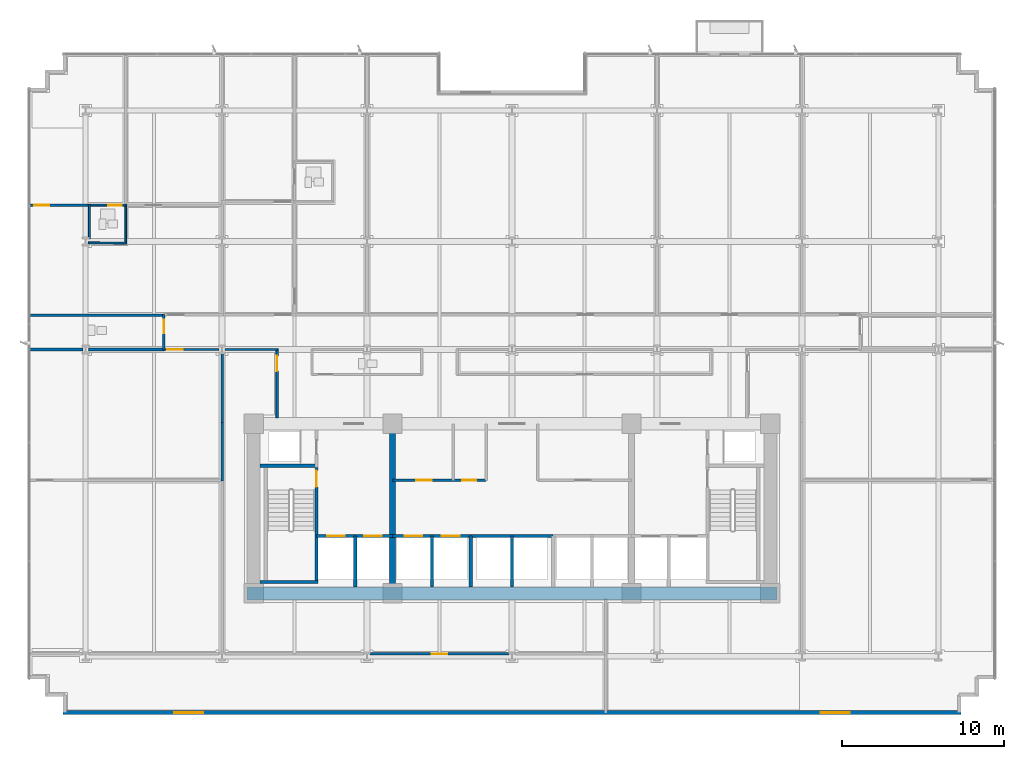
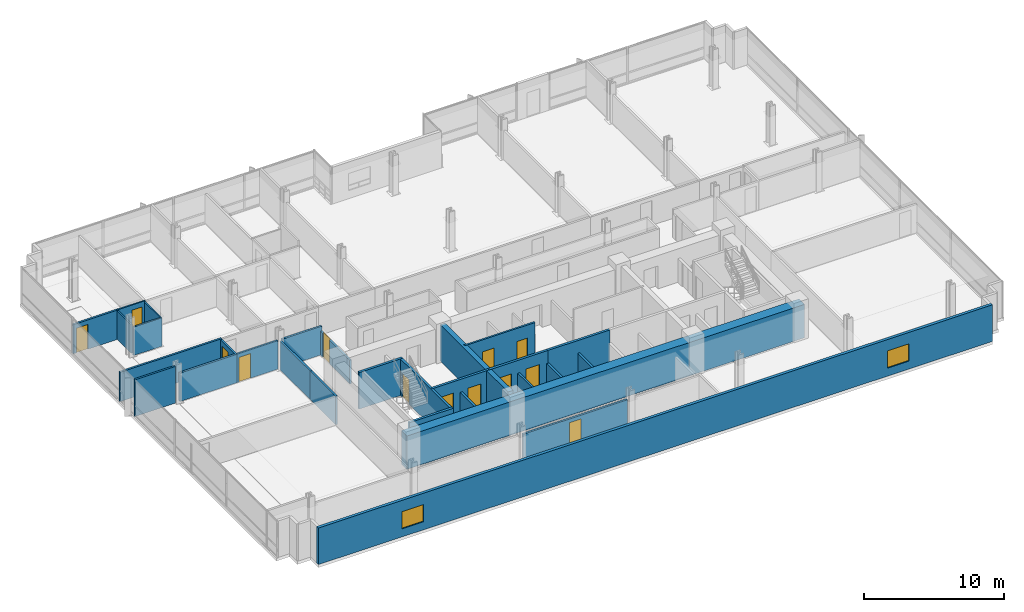
# One storey, part 12 of 20: 29 walls, 13 doors, 2 windows, 15 openings.
"""IFC4 building model written with IfcOpenShell, lengths in metres."""

from ifc_helpers import new_model, si_unit, direction, frame, frame_2d, origin, place, context, subcontext, project, spatial, rectangle, extrude, material, layer, layer_set, type_object, element, fill, save


model = new_model("IFC4")

# Units and contexts
model_context = context("Model", 3, precision=1e-05, world=origin(), true_north=direction((0.0, 1.0)))
body_context = subcontext(model_context, "Body", "Model", "MODEL_VIEW")
ifc_project = project(units=[si_unit("LENGTHUNIT", "METRE"), si_unit("AREAUNIT", "SQUARE_METRE"), si_unit("VOLUMEUNIT", "CUBIC_METRE"), si_unit("PLANEANGLEUNIT", "RADIAN"), si_unit("MASSUNIT", "GRAM", prefix="KILO")], contexts=[model_context])

# Site, building, storey
site_placement = place(None, origin())
site = spatial("IfcSite", under=ifc_project, at=site_placement, CompositionType="ELEMENT")
building_placement = place(site_placement, origin())
building = spatial("IfcBuilding", under=site, at=building_placement, Name="Solmavex Isthmus Hotel", CompositionType="ELEMENT")
storey_placement = place(building_placement, frame((0.0, 0.0, 57.449951171875)))
storey = spatial("IfcBuildingStorey", under=building, at=storey_placement, Name="L15", CompositionType="ELEMENT", Elevation=57.449951171875)

# Wall, openings, windows
ifc_material_1 = material(Name="Precast Concrete C40/50", Category="concrete")
ifc_layer_1 = layer(ifc_material_1, 0.25)
ifc_layer_set_1 = layer_set([ifc_layer_1], Name="Precast Concrete C40/50")
wall_type_1 = type_object("IfcWallType", Name="EW-TWR-250", PredefinedType="STANDARD", material=ifc_layer_set_1)
wall_1_placement = place(storey_placement, frame((-27.800048828125, -20.3798828125, 0.0), z_axis=(0.0, 0.0, 1.0), x_axis=(1.0, 0.0, 0.0)))
wall_1 = element("IfcWall", 1, at=wall_1_placement, inside=storey, type_object=wall_type_1, Name="Tower Rear South Facade Wall L15", PredefinedType="STANDARD", context=body_context, shape_type="SweptSolid", body=[
    extrude(rectangle(XDim=55.60009765625, YDim=0.239990234375, at=frame_2d((27.800048828125, 0.0))), origin(), (0.0, 0.0, 1.0), 3.18994140625),
])
opening_1_placement = place(wall_1_placement, frame((6.884033203125, 0.0, 0.699951171875)))
opening_1 = element("IfcOpeningElement", 2, at=opening_1_placement, cuts=wall_1, Name="Opening WN-02", PredefinedType="OPENING", context=body_context, shape_type="SweptSolid", body=[
    extrude(rectangle(XDim=1.800048828125, YDim=1.5, at=frame_2d((0.89990234375, 0.75))), frame((0.0, 0.1298828125, 0.0), z_axis=(0.0, -1.0, 0.0), x_axis=(1.0, 0.0, 0.0)), (0.0, 0.0, 1.0), 0.260009765625),
])
opening_2_placement = place(wall_1_placement, frame((46.916015625, 0.0, 0.699951171875)))
opening_2 = element("IfcOpeningElement", 3, at=opening_2_placement, cuts=wall_1, Name="Opening WN-02", PredefinedType="OPENING", context=body_context, shape_type="SweptSolid", body=[
    extrude(rectangle(XDim=1.800048828125, YDim=1.5, at=frame_2d((0.89990234375, 0.75))), frame((0.0, 0.1298828125, 0.0), z_axis=(0.0, -1.0, 0.0), x_axis=(1.0, 0.0, 0.0)), (0.0, 0.0, 1.0), 0.260009765625),
])
ifc_material_2 = material(Name="Clear low-E laminated glass", Category="glass")
window_type = type_object("IfcWindowType", Name="WIN-TWR-1800", PartitioningType="SINGLE_PANEL", PredefinedType="WINDOW", material=ifc_material_2)
window_1_placement = place(opening_1_placement, origin())
window_1 = element("IfcWindow", 4, at=window_1_placement, inside=storey, type_object=window_type, Name="South Facade Vision Window L15-S1", OverallHeight=1.5, OverallWidth=1.800048828125, PartitioningType="SINGLE_PANEL", PredefinedType="WINDOW", context=body_context, shape_type="SweptSolid", body=[
    extrude(rectangle(XDim=1.800048828125, YDim=1.5, at=frame_2d((0.89990234375, 0.75))), frame((0.0, 0.030029296875, 0.0), z_axis=(0.0, -1.0, 0.0), x_axis=(1.0, 0.0, 0.0)), (0.0, 0.0, 1.0), 0.06005859375),
])
fill(opening_1, window_1)
window_2_placement = place(opening_2_placement, origin())
window_2 = element("IfcWindow", 5, at=window_2_placement, inside=storey, type_object=window_type, Name="South Facade Vision Window L15-S2", OverallHeight=1.5, OverallWidth=1.800048828125, PartitioningType="SINGLE_PANEL", PredefinedType="WINDOW", context=body_context, shape_type="SweptSolid", body=[
    extrude(rectangle(XDim=1.800048828125, YDim=1.5, at=frame_2d((0.89990234375, 0.75))), frame((0.0, 0.030029296875, 0.0), z_axis=(0.0, -1.0, 0.0), x_axis=(1.0, 0.0, 0.0)), (0.0, 0.0, 1.0), 0.06005859375),
])
fill(opening_2, window_2)

# Wall, opening, door
ifc_material_3 = material(Name="Gypsum plasterboard lining", Category="gypsum")
ifc_layer_2 = layer(ifc_material_3, 0.159912109375)
ifc_layer_set_2 = layer_set([ifc_layer_2], Name="Gypsum plasterboard lining")
wall_type_2 = type_object("IfcWallType", Name="IW-COMP-160", PredefinedType="PARTITIONING", material=ifc_layer_set_2)
wall_2_placement = place(storey_placement, frame((-29.800048828125, 11.0380859375, 0.0), z_axis=(0.0, 0.0, 1.0), x_axis=(1.0, 0.0, 0.0)))
wall_2 = element("IfcWall", 6, at=wall_2_placement, inside=storey, type_object=wall_type_2, Name="Interior Partition Wall W-L15-P029", PredefinedType="PARTITIONING", context=body_context, shape_type="SweptSolid", body=[
    extrude(rectangle(XDim=3.674072265625, YDim=0.159912109375, at=frame_2d((1.8369140625, 0.0))), origin(), (0.0, 0.0, 1.0), 2.55322265625),
])
opening_3_placement = place(wall_2_placement, frame((0.2099609375, 0.0, 0.0)))
opening_3 = element("IfcOpeningElement", 7, at=opening_3_placement, cuts=wall_2, Name="Opening ID-C095", PredefinedType="OPENING", context=body_context, shape_type="SweptSolid", body=[
    extrude(rectangle(XDim=0.949951171875, YDim=2.14990234375, at=frame_2d((0.47509765625, 1.074951171875))), frame((0.0, 0.08984375, 0.0), z_axis=(0.0, -1.0, 0.0), x_axis=(1.0, 0.0, 0.0)), (0.0, 0.0, 1.0), 0.179931640625),
])
ifc_material_4 = material(Name="Hardwood timber", Category="wood")
door_type_1 = type_object("IfcDoorType", Name="IDR-FD60-0950", OperationType="NOTDEFINED", PredefinedType="DOOR", material=ifc_material_4)
door_1_placement = place(opening_3_placement, origin())
door_1 = element("IfcDoor", 8, at=door_1_placement, inside=storey, type_object=door_type_1, Name="Ambassador Panorama Suite Master Bedroom Door L15-02", OperationType="SINGLE_SWING_RIGHT", OverallHeight=2.14990234375, OverallWidth=0.949951171875, PredefinedType="DOOR", context=body_context, shape_type="SweptSolid", body=[
    extrude(rectangle(XDim=0.949951171875, YDim=2.14990234375, at=frame_2d((0.47509765625, 1.074951171875))), frame((0.0, 0.02490234375, 0.0), z_axis=(0.0, -1.0, 0.0), x_axis=(1.0, 0.0, 0.0)), (0.0, 0.0, 1.0), 0.050048828125),
])
fill(opening_3, door_1)

# Walls
wall_3_placement = place(storey_placement, frame((-21.511962890625, 4.22998046875, 0.0), z_axis=(0.0, 0.0, 1.0), x_axis=(-1.0, 0.0, 0.0)))
element("IfcWall", 9, at=wall_3_placement, inside=storey, type_object=wall_type_2, Name="Interior Partition Wall W-L15-P036", PredefinedType="PARTITIONING", context=body_context, shape_type="SweptSolid", body=[
    extrude(rectangle(XDim=8.407958984375, YDim=0.159912109375, at=frame_2d((4.2041015625, 0.0))), origin(), (0.0, 0.0, 1.0), 2.55322265625),
])
wall_4_placement = place(storey_placement, frame((-26.574951171875, 2.10009765625, 0.0), z_axis=(0.0, 0.0, 1.0), x_axis=(-1.0, 0.0, 0.0)))
element("IfcWall", 10, at=wall_4_placement, inside=storey, type_object=wall_type_2, Name="Interior Partition Wall W-L15-P058", PredefinedType="PARTITIONING", context=body_context, shape_type="SweptSolid", body=[
    extrude(rectangle(XDim=3.344970703125, YDim=0.159912109375, at=frame_2d((1.67236328125, 0.0))), origin(), (0.0, 0.0, 1.0), 3.18994140625),
])
wall_5_placement = place(storey_placement, frame((-21.511962890625, 2.10009765625, 0.0), z_axis=(0.0, 0.0, 1.0), x_axis=(-1.0, 0.0, 0.0)))
element("IfcWall", 11, at=wall_5_placement, inside=storey, type_object=wall_type_2, Name="Interior Partition Wall W-L15-P059", PredefinedType="PARTITIONING", context=body_context, shape_type="SweptSolid", body=[
    extrude(rectangle(XDim=4.713134765625, YDim=0.159912109375, at=frame_2d((2.3564453125, 0.0))), origin(), (0.0, 0.0, 1.0), 2.4794921875),
])
wall_6_placement = place(storey_placement, frame((-17.951904296875, 1.925048828125, 0.0), z_axis=(0.0, 0.0, 1.0), x_axis=(0.0, -1.0, 0.0)))
element("IfcWall", 12, at=wall_6_placement, inside=storey, type_object=wall_type_2, Name="Interior Partition Wall W-L15-P062", PredefinedType="PARTITIONING", context=body_context, shape_type="SweptSolid", body=[
    extrude(rectangle(XDim=4.4150390625, YDim=0.159912109375, at=frame_2d((2.20751953125, 0.0))), origin(), (0.0, 0.0, 1.0), 2.4794921875),
])
wall_7_placement = place(storey_placement, frame((-17.951904296875, -2.409912109375, 0.0), z_axis=(0.0, 0.0, 1.0), x_axis=(0.0, -1.0, 0.0)))
element("IfcWall", 13, at=wall_7_placement, inside=storey, type_object=wall_type_2, Name="Interior Partition Wall W-L15-P063", PredefinedType="PARTITIONING", context=body_context, shape_type="SweptSolid", body=[
    extrude(rectangle(XDim=3.630126953125, YDim=0.159912109375, at=frame_2d((1.81494140625, 0.0))), origin(), (0.0, 0.0, 1.0), 2.4794921875),
])

# Wall, opening, door
wall_8_placement = place(storey_placement, frame((-0.175048828125, -16.75, 0.0), z_axis=(0.0, 0.0, 1.0), x_axis=(-1.0, 0.0, 0.0)))
wall_8 = element("IfcWall", 14, at=wall_8_placement, inside=storey, type_object=wall_type_2, Name="Interior Partition Wall W-L15-P070", PredefinedType="PARTITIONING", context=body_context, shape_type="SweptSolid", body=[
    extrude(rectangle(XDim=8.6259765625, YDim=0.159912109375, at=frame_2d((4.31298828125, 0.0))), origin(), (0.0, 0.0, 1.0), 2.4794921875),
])
opening_4_placement = place(wall_8_placement, frame((3.837890625, 0.0, 0.0)))
opening_4 = element("IfcOpeningElement", 15, at=opening_4_placement, cuts=wall_8, Name="Opening ID-C095", PredefinedType="OPENING", context=body_context, shape_type="SweptSolid", body=[
    extrude(rectangle(XDim=0.949951171875, YDim=2.14990234375, at=frame_2d((0.47509765625, 1.074951171875))), frame((0.0, 0.08984375, 0.0), z_axis=(0.0, -1.0, 0.0), x_axis=(1.0, 0.0, 0.0)), (0.0, 0.0, 1.0), 0.179931640625),
])
door_2_placement = place(opening_4_placement, origin())
door_2 = element("IfcDoor", 16, at=door_2_placement, inside=storey, type_object=door_type_1, Name="Corporate Briefing Office Door L15-20", OperationType="SINGLE_SWING_RIGHT", OverallHeight=2.14990234375, OverallWidth=0.949951171875, PredefinedType="DOOR", context=body_context, shape_type="SweptSolid", body=[
    extrude(rectangle(XDim=0.949951171875, YDim=2.14990234375, at=frame_2d((0.47509765625, 1.074951171875))), frame((0.0, 0.02490234375, 0.0), z_axis=(0.0, -1.0, 0.0), x_axis=(1.0, 0.0, 0.0)), (0.0, 0.0, 1.0), 0.050048828125),
])
fill(opening_4, door_2)

# Wall, openings, doors
ifc_layer_3 = layer(ifc_material_3, 0.14990234375)
ifc_layer_set_3 = layer_set([ifc_layer_3], Name="Gypsum plasterboard lining")
wall_type_3 = type_object("IfcWallType", Name="IW-CORR-150", PredefinedType="PARTITIONING", material=ifc_layer_set_3)
wall_9_placement = place(storey_placement, frame((-7.39990234375, -6.0, 0.0), z_axis=(0.0, 0.0, 1.0), x_axis=(1.0, 0.0, 0.0)))
wall_9 = element("IfcWall", 17, at=wall_9_placement, inside=storey, type_object=wall_type_3, Name="Interior Partition Wall W-L15-BOH-WS", PredefinedType="PARTITIONING", context=body_context, shape_type="SweptSolid", body=[
    extrude(rectangle(XDim=5.7998046875, YDim=0.14990234375, at=frame_2d((2.89990234375, 0.0))), origin(), (0.0, 0.0, 1.0), 3.18994140625),
])
opening_5_placement = place(wall_9_placement, frame((1.47509765625, 0.0, 0.0)))
opening_5 = element("IfcOpeningElement", 18, at=opening_5_placement, cuts=wall_9, Name="Opening ID-C095", PredefinedType="OPENING", context=body_context, shape_type="SweptSolid", body=[
    extrude(rectangle(XDim=0.949951171875, YDim=2.14990234375, at=frame_2d((0.47509765625, 1.074951171875))), frame((0.0, 0.0849609375, 0.0), z_axis=(0.0, -1.0, 0.0), x_axis=(1.0, 0.0, 0.0)), (0.0, 0.0, 1.0), 0.169921875),
])
opening_6_placement = place(wall_9_placement, frame((4.324951171875, 0.0, 0.0)))
opening_6 = element("IfcOpeningElement", 19, at=opening_6_placement, cuts=wall_9, Name="Opening ID-R085", PredefinedType="OPENING", context=body_context, shape_type="SweptSolid", body=[
    extrude(rectangle(XDim=0.85009765625, YDim=2.050048828125, at=frame_2d((0.425048828125, 1.02490234375))), frame((0.0, 0.0849609375, 0.0), z_axis=(0.0, -1.0, 0.0), x_axis=(1.0, 0.0, 0.0)), (0.0, 0.0, 1.0), 0.169921875),
])
ifc_material_5 = material(Name="Steel ASTM A500 Grade C", Category="steel")
door_type_2 = type_object("IfcDoorType", Name="IDR-FD60-0850", OperationType="NOTDEFINED", PredefinedType="DOOR", material=ifc_material_5)
door_3_placement = place(opening_6_placement, frame((0.85009765625, 0.0, 0.0), z_axis=(0.0, 0.0, 1.0), x_axis=(-1.0, 0.0, 0.0)))
door_3 = element("IfcDoor", 20, at=door_3_placement, inside=storey, type_object=door_type_2, Name="Cleaner Closet Door L15", OperationType="SINGLE_SWING_RIGHT", OverallHeight=2.050048828125, OverallWidth=0.85009765625, PredefinedType="DOOR", context=body_context, shape_type="SweptSolid", body=[
    extrude(rectangle(XDim=0.85009765625, YDim=2.050048828125, at=frame_2d((0.425048828125, 1.02490234375))), frame((0.0, 0.02490234375, 0.0), z_axis=(0.0, -1.0, 0.0), x_axis=(1.0, 0.0, 0.0)), (0.0, 0.0, 1.0), 0.050048828125),
])
fill(opening_6, door_3)
door_4_placement = place(opening_5_placement, frame((0.949951171875, 0.0, 0.0), z_axis=(0.0, 0.0, 1.0), x_axis=(-1.0, 0.0, 0.0)))
door_4 = element("IfcDoor", 21, at=door_4_placement, inside=storey, type_object=door_type_1, Name="Housekeeping Store Door L15", OperationType="SINGLE_SWING_LEFT", OverallHeight=2.14990234375, OverallWidth=0.949951171875, PredefinedType="DOOR", context=body_context, shape_type="SweptSolid", body=[
    extrude(rectangle(XDim=0.949951171875, YDim=2.14990234375, at=frame_2d((0.47509765625, 1.074951171875))), frame((0.0, 0.02490234375, 0.0), z_axis=(0.0, -1.0, 0.0), x_axis=(1.0, 0.0, 0.0)), (0.0, 0.0, 1.0), 0.050048828125),
])
fill(opening_5, door_4)

# Wall, opening, door
wall_10_placement = place(storey_placement, frame((-21.552001953125, 2.06005859375, 0.0), z_axis=(0.0, 0.0, 1.0), x_axis=(0.0, 1.0, 0.0)))
wall_10 = element("IfcWall", 22, at=wall_10_placement, inside=storey, type_object=wall_type_3, Name="Interior Partition Wall W-L15-P013", PredefinedType="PARTITIONING", context=body_context, shape_type="SweptSolid", body=[
    extrude(rectangle(XDim=2.2099609375, YDim=0.14990234375, at=frame_2d((1.10498046875, 0.0))), origin(), (0.0, 0.0, 1.0), 2.4794921875),
])
opening_7_placement = place(wall_10_placement, frame((1.037841796875, 0.0, 0.0)))
opening_7 = element("IfcOpeningElement", 23, at=opening_7_placement, cuts=wall_10, Name="Opening ID-R085", PredefinedType="OPENING", context=body_context, shape_type="SweptSolid", body=[
    extrude(rectangle(XDim=0.85009765625, YDim=2.050048828125, at=frame_2d((0.425048828125, 1.02490234375))), frame((0.0, 0.0849609375, 0.0), z_axis=(0.0, -1.0, 0.0), x_axis=(1.0, 0.0, 0.0)), (0.0, 0.0, 1.0), 0.169921875),
])
door_5_placement = place(opening_7_placement, origin())
door_5 = element("IfcDoor", 24, at=door_5_placement, inside=storey, type_object=door_type_2, Name="Public Restroom WC Door L15-13", OperationType="SINGLE_SWING_LEFT", OverallHeight=2.050048828125, OverallWidth=0.85009765625, PredefinedType="DOOR", context=body_context, shape_type="SweptSolid", body=[
    extrude(rectangle(XDim=0.85009765625, YDim=2.050048828125, at=frame_2d((0.425048828125, 1.02490234375))), frame((0.0, 0.02490234375, 0.0), z_axis=(0.0, -1.0, 0.0), x_axis=(1.0, 0.0, 0.0)), (0.0, 0.0, 1.0), 0.050048828125),
])
fill(opening_7, door_5)

wall_11_placement = place(storey_placement, frame((-18.126953125, 2.10009765625, 0.0), z_axis=(0.0, 0.0, 1.0), x_axis=(-1.0, 0.0, 0.0)))
wall_11 = element("IfcWall", 25, at=wall_11_placement, inside=storey, type_object=wall_type_3, Name="Interior Partition Wall W-L15-P023", PredefinedType="PARTITIONING", context=body_context, shape_type="SweptSolid", body=[
    extrude(rectangle(XDim=3.465087890625, YDim=0.14990234375, at=frame_2d((1.732421875, 0.0))), origin(), (0.0, 0.0, 1.0), 2.4794921875),
])
opening_8_placement = place(wall_11_placement, frame((2.252685546875, 0.0, 0.0)))
opening_8 = element("IfcOpeningElement", 26, at=opening_8_placement, cuts=wall_11, Name="Opening ID-C095", PredefinedType="OPENING", context=body_context, shape_type="SweptSolid", body=[
    extrude(rectangle(XDim=0.949951171875, YDim=2.14990234375, at=frame_2d((0.47509765625, 1.074951171875))), frame((0.0, 0.0849609375, 0.0), z_axis=(0.0, -1.0, 0.0), x_axis=(1.0, 0.0, 0.0)), (0.0, 0.0, 1.0), 0.169921875),
])
door_6_placement = place(opening_8_placement, origin())
door_6 = element("IfcDoor", 27, at=door_6_placement, inside=storey, type_object=door_type_1, Name="Executive Meeting Room Door L15-16", OperationType="SINGLE_SWING_RIGHT", OverallHeight=2.14990234375, OverallWidth=0.949951171875, PredefinedType="DOOR", context=body_context, shape_type="SweptSolid", body=[
    extrude(rectangle(XDim=0.949951171875, YDim=2.14990234375, at=frame_2d((0.47509765625, 1.074951171875))), frame((0.0, 0.02490234375, 0.0), z_axis=(0.0, -1.0, 0.0), x_axis=(1.0, 0.0, 0.0)), (0.0, 0.0, 1.0), 0.050048828125),
])
fill(opening_8, door_6)

wall_12_placement = place(storey_placement, frame((-14.5439453125, -2.139892578125, 0.0), z_axis=(0.0, 0.0, 1.0), x_axis=(0.0, 1.0, 0.0)))
wall_12 = element("IfcWall", 28, at=wall_12_placement, inside=storey, type_object=wall_type_3, Name="Interior Partition Wall W-L15-P025", PredefinedType="PARTITIONING", context=body_context, shape_type="SweptSolid", body=[
    extrude(rectangle(XDim=4.27978515625, YDim=0.14990234375, at=frame_2d((2.139892578125, 0.0))), origin(), (0.0, 0.0, 1.0), 2.074951171875),
])
opening_9_placement = place(wall_12_placement, frame((2.89990234375, 0.0, 0.0)))
opening_9 = element("IfcOpeningElement", 29, at=opening_9_placement, cuts=wall_12, Name="Opening ID-C095", PredefinedType="OPENING", context=body_context, shape_type="SweptSolid", body=[
    extrude(rectangle(XDim=0.949951171875, YDim=2.14990234375, at=frame_2d((0.47509765625, 1.074951171875))), frame((0.0, 0.0849609375, 0.0), z_axis=(0.0, -1.0, 0.0), x_axis=(1.0, 0.0, 0.0)), (0.0, 0.0, 1.0), 0.169921875),
])
door_7_placement = place(opening_9_placement, frame((0.949951171875, 0.0, 0.0), z_axis=(0.0, 0.0, 1.0), x_axis=(-1.0, 0.0, 0.0)))
door_7 = element("IfcDoor", 30, at=door_7_placement, inside=storey, type_object=door_type_1, Name="Executive Meeting Room Door L15-18", OperationType="SINGLE_SWING_RIGHT", OverallHeight=2.14990234375, OverallWidth=0.949951171875, PredefinedType="DOOR", context=body_context, shape_type="SweptSolid", body=[
    extrude(rectangle(XDim=0.949951171875, YDim=2.14990234375, at=frame_2d((0.47509765625, 1.074951171875))), frame((0.0, 0.02490234375, 0.0), z_axis=(0.0, -1.0, 0.0), x_axis=(1.0, 0.0, 0.0)), (0.0, 0.0, 1.0), 0.050048828125),
])
fill(opening_9, door_7)

# Walls
wall_13_placement = place(storey_placement, frame((-14.50390625, 2.10009765625, 0.0), z_axis=(0.0, 0.0, 1.0), x_axis=(-1.0, 0.0, 0.0)))
element("IfcWall", 31, at=wall_13_placement, inside=storey, type_object=wall_type_3, Name="Interior Partition Wall W-L15-P026", PredefinedType="PARTITIONING", context=body_context, shape_type="SweptSolid", body=[
    extrude(rectangle(XDim=3.273193359375, YDim=0.14990234375, at=frame_2d((1.63671875, 0.0))), origin(), (0.0, 0.0, 1.0), 2.4794921875),
])
ifc_layer_4 = layer(ifc_material_3, 0.1201171875)
ifc_layer_set_4 = layer_set([ifc_layer_4], Name="Gypsum plasterboard lining")
wall_type_4 = type_object("IfcWallType", Name="IW-PART-120", PredefinedType="PARTITIONING", material=ifc_layer_set_4)
wall_14_placement = place(storey_placement, frame((-26.166015625, 11.077880859375, 0.0), z_axis=(0.0, 0.0, 1.0), x_axis=(0.0, -1.0, 0.0)))
element("IfcWall", 32, at=wall_14_placement, inside=storey, type_object=wall_type_4, Name="Interior Partition Wall W-L15-P031", PredefinedType="PARTITIONING", context=body_context, shape_type="SweptSolid", body=[
    extrude(rectangle(XDim=2.114990234375, YDim=0.1201171875, at=frame_2d((1.0576171875, 0.0))), origin(), (0.0, 0.0, 1.0), 2.4794921875),
])
wall_15_placement = place(storey_placement, frame((-26.22509765625, 8.6982421875, 0.0), z_axis=(0.0, 0.0, 1.0), x_axis=(0.999990014503, -0.004468880755, 0.0)))
element("IfcWall", 33, at=wall_15_placement, inside=storey, type_object=wall_type_4, Name="Interior Partition Wall W-L15-P032", PredefinedType="PARTITIONING", context=body_context, shape_type="SweptSolid", body=[
    extrude(rectangle(XDim=2.34912109375, YDim=0.1201171875, at=frame_2d((1.174560546875, 0.0))), origin(), (0.0, 0.0, 1.0), 2.4794921875),
])
wall_16_placement = place(storey_placement, frame((-23.916015625, 8.64794921875, 0.0), z_axis=(0.0, 0.0, 1.0), x_axis=(0.0, 1.0, 0.0)))
element("IfcWall", 34, at=wall_16_placement, inside=storey, type_object=wall_type_4, Name="Interior Partition Wall W-L15-P033", PredefinedType="PARTITIONING", context=body_context, shape_type="SweptSolid", body=[
    extrude(rectangle(XDim=2.429931640625, YDim=0.1201171875, at=frame_2d((1.21484375, 0.0))), origin(), (0.0, 0.0, 1.0), 2.4794921875),
])

# Wall, opening, door
wall_17_placement = place(storey_placement, frame((-23.8759765625, 11.0380859375, 0.0), z_axis=(0.0, 0.0, 1.0), x_axis=(-1.0, 0.0, 0.0)))
wall_17 = element("IfcWall", 35, at=wall_17_placement, inside=storey, type_object=wall_type_4, Name="Interior Partition Wall W-L15-P038", PredefinedType="PARTITIONING", context=body_context, shape_type="SweptSolid", body=[
    extrude(rectangle(XDim=2.3720703125, YDim=0.1201171875, at=frame_2d((1.18603515625, 0.0))), origin(), (0.0, 0.0, 1.0), 2.55322265625),
])
opening_10_placement = place(wall_17_placement, frame((0.27978515625, 0.0, 0.0)))
opening_10 = element("IfcOpeningElement", 36, at=opening_10_placement, cuts=wall_17, Name="Opening ID-U085", PredefinedType="OPENING", context=body_context, shape_type="SweptSolid", body=[
    extrude(rectangle(XDim=0.85009765625, YDim=2.10009765625, at=frame_2d((0.425048828125, 1.050048828125))), frame((0.0, 0.070068359375, 0.0), z_axis=(0.0, -1.0, 0.0), x_axis=(1.0, 0.0, 0.0)), (0.0, 0.0, 1.0), 0.14013671875),
])
door_type_3 = type_object("IfcDoorType", Name="IDR-UNR-0850", OperationType="NOTDEFINED", PredefinedType="DOOR", material=ifc_material_4)
door_8_placement = place(opening_10_placement, frame((0.85009765625, 0.0, 0.0), z_axis=(0.0, 0.0, 1.0), x_axis=(-1.0, 0.0, 0.0)))
door_8 = element("IfcDoor", 37, at=door_8_placement, inside=storey, type_object=door_type_3, Name="En-suite Bathroom Door L15-04", OperationType="SINGLE_SWING_RIGHT", OverallHeight=2.10009765625, OverallWidth=0.85009765625, PredefinedType="DOOR", context=body_context, shape_type="SweptSolid", body=[
    extrude(rectangle(XDim=0.85009765625, YDim=2.10009765625, at=frame_2d((0.425048828125, 1.050048828125))), frame((0.0, 0.02490234375, 0.0), z_axis=(0.0, -1.0, 0.0), x_axis=(1.0, 0.0, 0.0)), (0.0, 0.0, 1.0), 0.050048828125),
])
fill(opening_10, door_8)

# Walls
ifc_material_6 = material(Name="Concrete C40/50", Category="concrete")
ifc_layer_5 = layer(ifc_material_6, 0.179931640625)
ifc_layer_set_5 = layer_set([ifc_layer_5], Name="Concrete C40/50")
wall_type_5 = type_object("IfcWallType", Name="IW-SHAFT-180", PredefinedType="PARTITIONING", material=ifc_layer_set_5)
for number, where, z_axis, x_axis, name in (
    (38, (-4.949951171875, -12.60009765625, 0.0), (0.0, 0.0, 1.0), (0.0, 1.0, 0.0), "Interior Partition Wall W-L15-SH-PLL-M"),
    (39, (0.0, -12.60009765625, 0.0), (0.0, 0.0, 1.0), (0.0, 1.0, 0.0), "Interior Partition Wall W-L15-SH-PLM-M"),
):
    element("IfcWall", number, at=place(storey_placement, frame(where, z_axis=z_axis, x_axis=x_axis)), inside=storey, type_object=wall_type_5, Name=name, PredefinedType="PARTITIONING", context=body_context, shape_type="SweptSolid", body=[
        extrude(rectangle(XDim=3.150146484375, YDim=0.179931640625, at=frame_2d((1.5751953125, 0.0))), origin(), (0.0, 0.0, 1.0), 2.074951171875),
    ])

# Wall, openings, doors
ifc_layer_6 = layer(ifc_material_6, 0.199951171875)
ifc_layer_set_6 = layer_set([ifc_layer_6], Name="Concrete C40/50")
wall_type_6 = type_object("IfcWallType", Name="IW-SHAFT-200", PredefinedType="PARTITIONING", material=ifc_layer_set_6)
wall_18_placement = place(storey_placement, frame((-12.10009765625, -9.449951171875, 0.0), z_axis=(0.0, 0.0, 1.0), x_axis=(1.0, 0.0, 0.0)))
wall_18 = element("IfcWall", 40, at=wall_18_placement, inside=storey, type_object=wall_type_6, Name="Interior Partition Wall W-L15-FFLW-S", PredefinedType="PARTITIONING", context=body_context, shape_type="SweptSolid", body=[
    extrude(rectangle(XDim=4.7001953125, YDim=0.199951171875, at=frame_2d((2.35009765625, 0.0))), origin(), (0.0, 0.0, 1.0), 3.18994140625),
])
opening_11_placement = place(wall_18_placement, frame((0.64990234375, 0.0, 0.0)))
opening_11 = element("IfcOpeningElement", 41, at=opening_11_placement, cuts=wall_18, Name="Opening LD-FF", PredefinedType="OPENING", context=body_context, shape_type="SweptSolid", body=[
    extrude(rectangle(XDim=1.10009765625, YDim=2.199951171875, at=frame_2d((0.550048828125, 1.10009765625))), frame((0.0, 0.10986328125, 0.0), z_axis=(0.0, -1.0, 0.0), x_axis=(1.0, 0.0, 0.0)), (0.0, 0.0, 1.0), 0.219970703125),
])
opening_12_placement = place(wall_18_placement, frame((2.949951171875, 0.0, 0.0)))
opening_12 = element("IfcOpeningElement", 42, at=opening_12_placement, cuts=wall_18, Name="Opening LD-SV", PredefinedType="OPENING", context=body_context, shape_type="SweptSolid", body=[
    extrude(rectangle(XDim=1.10009765625, YDim=2.199951171875, at=frame_2d((0.550048828125, 1.10009765625))), frame((0.0, 0.10986328125, 0.0), z_axis=(0.0, -1.0, 0.0), x_axis=(1.0, 0.0, 0.0)), (0.0, 0.0, 1.0), 0.219970703125),
])
ifc_material_7 = material(Name="Stainless steel 316", Category="steel")
door_type_4 = type_object("IfcDoorType", Name="LDR-FF-1100", OperationType="NOTDEFINED", PredefinedType="DOOR", material=ifc_material_7)
door_9_placement = place(opening_11_placement, origin())
door_9 = element("IfcDoor", 43, at=door_9_placement, inside=storey, type_object=door_type_4, Name="Lift Landing Door FFL-1 L15", OperationType="SLIDING_TO_LEFT", OverallHeight=2.199951171875, OverallWidth=1.10009765625, PredefinedType="DOOR", context=body_context, shape_type="SweptSolid", body=[
    extrude(rectangle(XDim=1.10009765625, YDim=2.199951171875, at=frame_2d((0.550048828125, 1.10009765625))), frame((0.0, 0.02490234375, 0.0), z_axis=(0.0, -1.0, 0.0), x_axis=(1.0, 0.0, 0.0)), (0.0, 0.0, 1.0), 0.050048828125),
])
fill(opening_11, door_9)
door_type_5 = type_object("IfcDoorType", Name="LDR-SV-1100", OperationType="NOTDEFINED", PredefinedType="DOOR", material=ifc_material_7)
door_10_placement = place(opening_12_placement, origin())
door_10 = element("IfcDoor", 44, at=door_10_placement, inside=storey, type_object=door_type_5, Name="Lift Landing Door SVL-1 L15", OperationType="SLIDING_TO_RIGHT", OverallHeight=2.199951171875, OverallWidth=1.10009765625, PredefinedType="DOOR", context=body_context, shape_type="SweptSolid", body=[
    extrude(rectangle(XDim=1.10009765625, YDim=2.199951171875, at=frame_2d((0.550048828125, 1.10009765625))), frame((0.0, 0.02490234375, 0.0), z_axis=(0.0, -1.0, 0.0), x_axis=(1.0, 0.0, 0.0)), (0.0, 0.0, 1.0), 0.050048828125),
])
fill(opening_12, door_10)

# Wall
wall_19_placement = place(storey_placement, frame((-9.699951171875, -12.60009765625, 0.0), z_axis=(0.0, 0.0, 1.0), x_axis=(0.0, 1.0, 0.0)))
element("IfcWall", 45, at=wall_19_placement, inside=storey, type_object=wall_type_6, Name="Interior Partition Wall W-L15-FFLW-M", PredefinedType="PARTITIONING", context=body_context, shape_type="SweptSolid", body=[
    extrude(rectangle(XDim=3.150146484375, YDim=0.199951171875, at=frame_2d((1.5751953125, 0.0))), origin(), (0.0, 0.0, 1.0), 2.074951171875),
])

# Wall, openings, doors
wall_20_placement = place(storey_placement, frame((-7.39990234375, -9.449951171875, 0.0), z_axis=(0.0, 0.0, 1.0), x_axis=(1.0, 0.0, 0.0)))
wall_20 = element("IfcWall", 46, at=wall_20_placement, inside=storey, type_object=wall_type_6, Name="Interior Partition Wall W-L15-SH-PLL", PredefinedType="PARTITIONING", context=body_context, shape_type="SweptSolid", body=[
    extrude(rectangle(XDim=4.849853515625, YDim=0.199951171875, at=frame_2d((2.4248046875, 0.0))), origin(), (0.0, 0.0, 1.0), 3.18994140625),
])
opening_13_placement = place(wall_20_placement, frame((0.75, 0.0, 0.0)))
opening_13 = element("IfcOpeningElement", 47, at=opening_13_placement, cuts=wall_20, Name="Opening LD-PL", PredefinedType="OPENING", context=body_context, shape_type="SweptSolid", body=[
    extrude(rectangle(XDim=1.10009765625, YDim=2.199951171875, at=frame_2d((0.550048828125, 1.10009765625))), frame((0.0, 0.10986328125, 0.0), z_axis=(0.0, -1.0, 0.0), x_axis=(1.0, 0.0, 0.0)), (0.0, 0.0, 1.0), 0.219970703125),
])
opening_14_placement = place(wall_20_placement, frame((3.050048828125, 0.0, 0.0)))
opening_14 = element("IfcOpeningElement", 48, at=opening_14_placement, cuts=wall_20, Name="Opening LD-PL", PredefinedType="OPENING", context=body_context, shape_type="SweptSolid", body=[
    extrude(rectangle(XDim=1.10009765625, YDim=2.199951171875, at=frame_2d((0.550048828125, 1.10009765625))), frame((0.0, 0.10986328125, 0.0), z_axis=(0.0, -1.0, 0.0), x_axis=(1.0, 0.0, 0.0)), (0.0, 0.0, 1.0), 0.219970703125),
])
door_type_6 = type_object("IfcDoorType", Name="LDR-PL-1100", OperationType="NOTDEFINED", PredefinedType="DOOR", material=ifc_material_7)
door_11_placement = place(opening_13_placement, origin())
door_11 = element("IfcDoor", 49, at=door_11_placement, inside=storey, type_object=door_type_6, Name="Lift Landing Door PLL1 L15", OperationType="SLIDING_TO_LEFT", OverallHeight=2.199951171875, OverallWidth=1.10009765625, PredefinedType="DOOR", context=body_context, shape_type="SweptSolid", body=[
    extrude(rectangle(XDim=1.10009765625, YDim=2.199951171875, at=frame_2d((0.550048828125, 1.10009765625))), frame((0.0, 0.02490234375, 0.0), z_axis=(0.0, -1.0, 0.0), x_axis=(1.0, 0.0, 0.0)), (0.0, 0.0, 1.0), 0.050048828125),
])
fill(opening_13, door_11)
door_12_placement = place(opening_14_placement, origin())
door_12 = element("IfcDoor", 50, at=door_12_placement, inside=storey, type_object=door_type_6, Name="Lift Landing Door PLL2 L15", OperationType="SLIDING_TO_LEFT", OverallHeight=2.199951171875, OverallWidth=1.10009765625, PredefinedType="DOOR", context=body_context, shape_type="SweptSolid", body=[
    extrude(rectangle(XDim=1.10009765625, YDim=2.199951171875, at=frame_2d((0.550048828125, 1.10009765625))), frame((0.0, 0.02490234375, 0.0), z_axis=(0.0, -1.0, 0.0), x_axis=(1.0, 0.0, 0.0)), (0.0, 0.0, 1.0), 0.050048828125),
])
fill(opening_14, door_12)

# Walls
wall_21_placement = place(storey_placement, frame((-2.550048828125, -12.60009765625, 0.0), z_axis=(0.0, 0.0, 1.0), x_axis=(0.0, 1.0, 0.0)))
element("IfcWall", 51, at=wall_21_placement, inside=storey, type_object=wall_type_6, Name="Interior Partition Wall W-L15-SH-PLL-E", PredefinedType="PARTITIONING", context=body_context, shape_type="SweptSolid", body=[
    extrude(rectangle(XDim=3.150146484375, YDim=0.199951171875, at=frame_2d((1.5751953125, 0.0))), origin(), (0.0, 0.0, 1.0), 2.074951171875),
])
wall_22_placement = place(storey_placement, frame((-2.550048828125, -9.449951171875, 0.0), z_axis=(0.0, 0.0, 1.0), x_axis=(1.0, 0.0, 0.0)))
element("IfcWall", 52, at=wall_22_placement, inside=storey, type_object=wall_type_6, Name="Interior Partition Wall W-L15-SH-PLM", PredefinedType="PARTITIONING", context=body_context, shape_type="SweptSolid", body=[
    extrude(rectangle(XDim=5.10009765625, YDim=0.199951171875, at=frame_2d((2.550048828125, 0.0))), origin(), (0.0, 0.0, 1.0), 3.18994140625),
])
ifc_material_8 = material(Name="Concrete C70/85", Category="concrete")
ifc_layer_7 = layer(ifc_material_8, 0.39990234375)
ifc_layer_set_7 = layer_set([ifc_layer_7], Name="Concrete C70/85")
wall_type_7 = type_object("IfcWallType", Name="WALL-CW-400L", PredefinedType="SHEAR", material=ifc_layer_set_7)
wall_23_placement = place(storey_placement, frame((-7.39990234375, -12.60009765625, 0.0), z_axis=(0.0, 0.0, 1.0), x_axis=(0.0, 1.0, 0.0)))
element("IfcWall", 53, at=wall_23_placement, inside=storey, type_object=wall_type_7, Name="Core Cross Shear Wall C1 L15", PredefinedType="SHEAR", context=body_context, shape_type="SweptSolid", body=[
    extrude(rectangle(XDim=9.7001953125, YDim=0.39990234375, at=frame_2d((4.85009765625, 0.0))), origin(), (0.0, 0.0, 1.0), 3.18994140625),
])
ifc_layer_8 = layer(ifc_material_8, 0.800048828125)
ifc_layer_set_8 = layer_set([ifc_layer_8], Name="Concrete C70/85")
wall_type_8 = type_object("IfcWallType", Name="WALL-CW-800", PredefinedType="SHEAR", material=ifc_layer_set_8)
wall_24_placement = place(storey_placement, frame((-16.39990234375, -13.0, 0.0), z_axis=(0.0, 0.0, 1.0), x_axis=(1.0, 0.0, 0.0)))
element("IfcWall", 54, at=wall_24_placement, inside=storey, type_object=wall_type_8, Name="Core Shear Wall South L15", PredefinedType="SHEAR", context=body_context, shape_type="SweptSolid", body=[
    extrude(rectangle(XDim=32.7998046875, YDim=0.800048828125, at=frame_2d((16.39990234375, 0.0))), origin(), (0.0, 0.0, 1.0), 2.91015625),
])
ifc_layer_9 = layer(ifc_material_6, 0.199951171875)
ifc_layer_set_9 = layer_set([ifc_layer_9], Name="Concrete C40/50")
wall_type_9 = type_object("IfcWallType", Name="WALL-SW-200", PredefinedType="SOLIDWALL", material=ifc_layer_set_9)
for number, where, z_axis, x_axis, name in (
    (55, (-15.60009765625, -12.300048828125, 0.0), (0.0, 0.0, 1.0), (1.0, 0.0, 0.0), "Stairwell Structural Wall SW-L15-ST1-S"),
    (56, (-15.60009765625, -5.10009765625, 0.0), (0.0, 0.0, 1.0), (1.0, 0.0, 0.0), "Stairwell Structural Wall SW-L15-ST1-N"),
):
    element("IfcWall", number, at=place(storey_placement, frame(where, z_axis=z_axis, x_axis=x_axis)), inside=storey, type_object=wall_type_9, Name=name, PredefinedType="SOLIDWALL", context=body_context, shape_type="SweptSolid", body=[
        extrude(rectangle(XDim=3.60009765625, YDim=0.199951171875, at=frame_2d((1.800048828125, 0.0))), origin(), (0.0, 0.0, 1.0), 3.18994140625),
    ])

# Wall, opening, door
wall_25_placement = place(storey_placement, frame((-12.10009765625, -12.199951171875, 0.0), z_axis=(0.0, 0.0, 1.0), x_axis=(0.0, 1.0, 0.0)))
wall_25 = element("IfcWall", 57, at=wall_25_placement, inside=storey, type_object=wall_type_9, Name="Stairwell Structural Wall SW-L15-ST1-E", PredefinedType="SOLIDWALL", context=body_context, shape_type="SweptSolid", body=[
    extrude(rectangle(XDim=7.0, YDim=0.199951171875, at=frame_2d((3.5, 0.0))), origin(), (0.0, 0.0, 1.0), 3.18994140625),
])
opening_15_placement = place(wall_25_placement, frame((5.800048828125, 0.0, 0.0)))
opening_15 = element("IfcOpeningElement", 58, at=opening_15_placement, cuts=wall_25, Name="Opening ID-F100", PredefinedType="OPENING", context=body_context, shape_type="SweptSolid", body=[
    extrude(rectangle(XDim=1.0, YDim=2.10009765625, at=frame_2d((0.5, 1.050048828125))), frame((0.0, 0.10986328125, 0.0), z_axis=(0.0, -1.0, 0.0), x_axis=(1.0, 0.0, 0.0)), (0.0, 0.0, 1.0), 0.219970703125),
])
door_type_7 = type_object("IfcDoorType", Name="IDR-FD90-1000", OperationType="NOTDEFINED", PredefinedType="DOOR", material=ifc_material_5)
door_13_placement = place(opening_15_placement, frame((1.0, 0.0, 0.0), z_axis=(0.0, 0.0, 1.0), x_axis=(-1.0, 0.0, 0.0)))
door_13 = element("IfcDoor", 59, at=door_13_placement, inside=storey, type_object=door_type_7, Name="Stair ST-1 Fire Door L15", OperationType="SINGLE_SWING_LEFT", OverallHeight=2.10009765625, OverallWidth=1.0, PredefinedType="DOOR", context=body_context, shape_type="SweptSolid", body=[
    extrude(rectangle(XDim=1.0, YDim=2.10009765625, at=frame_2d((0.5, 1.050048828125))), frame((0.0, 0.02490234375, 0.0), z_axis=(0.0, -1.0, 0.0), x_axis=(1.0, 0.0, 0.0)), (0.0, 0.0, 1.0), 0.050048828125),
])
fill(opening_15, door_13)

save(model, "model.ifc")
